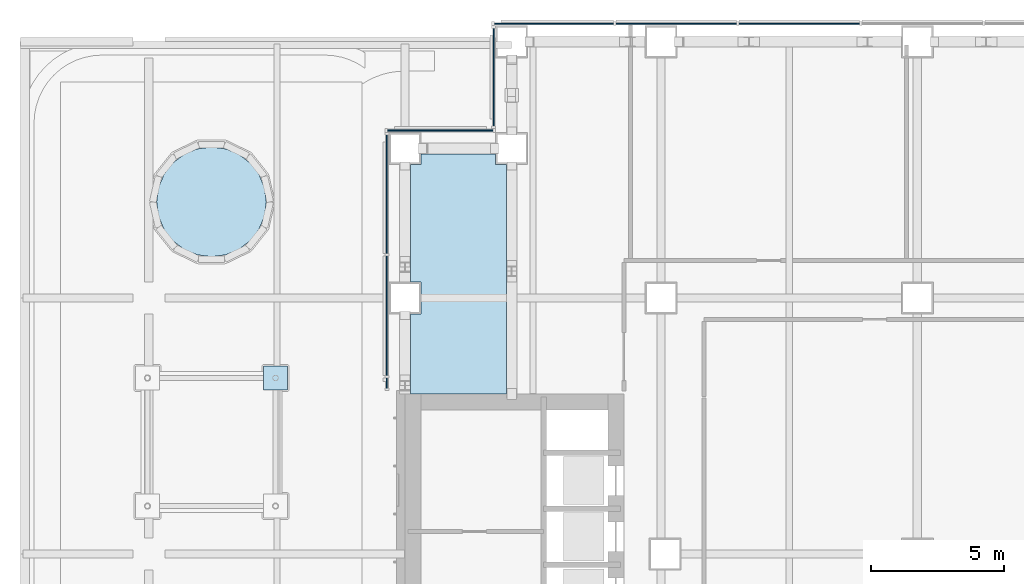
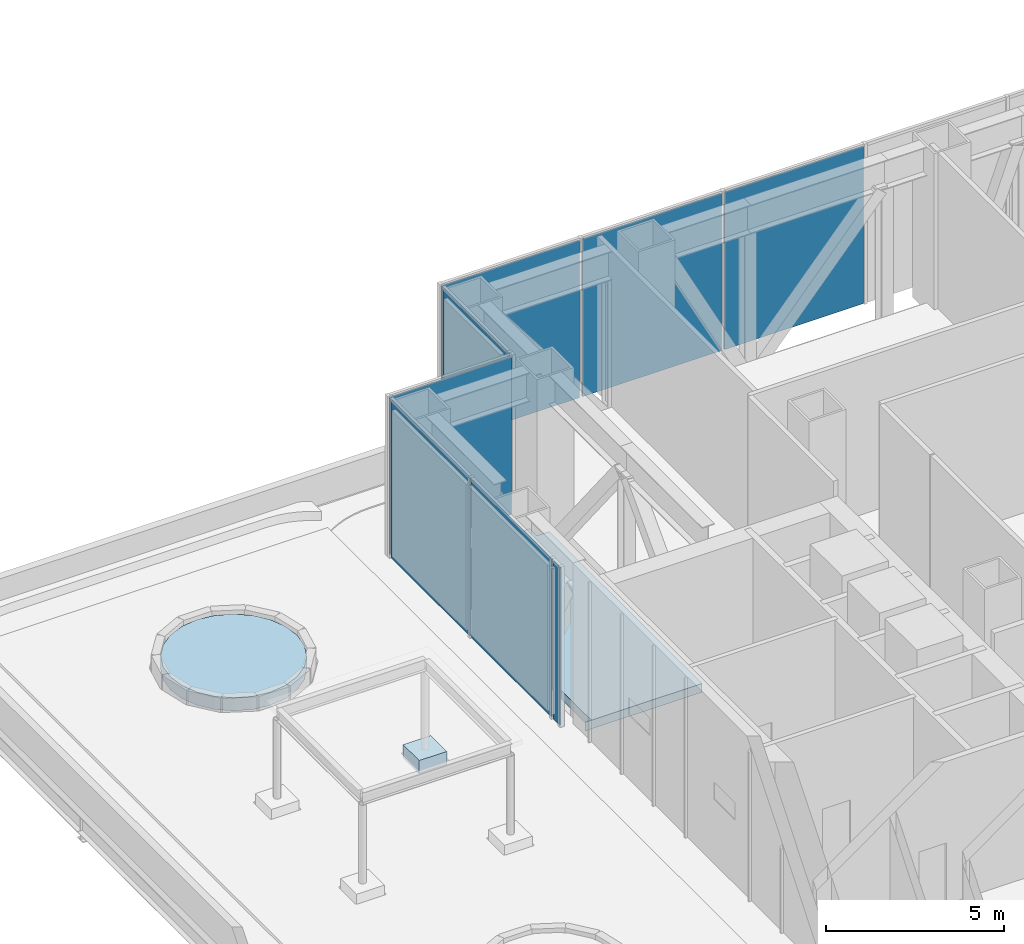
# One storey, part 21 of 39: 8 plates, 3 slabs, 4 elements without a shape of their own.
"""IFC4 building model written with IfcOpenShell, lengths in metres."""

from ifc_helpers import new_model, si_unit, direction, frame, origin, origin_2d, place, context, subcontext, project, spatial, polyline, rectangle, outline, extrude, material, layer, layer_set, type_object, element, aggregate, save


model = new_model("IFC4")

# Units and contexts
model_context = context("Model", 3, precision=1e-05, world=origin(), true_north=direction((0.0, 1.0)))
body_context = subcontext(model_context, "Body", "Model", "MODEL_VIEW")
ifc_project = project(units=[si_unit("LENGTHUNIT", "METRE"), si_unit("AREAUNIT", "SQUARE_METRE"), si_unit("VOLUMEUNIT", "CUBIC_METRE"), si_unit("PLANEANGLEUNIT", "RADIAN"), si_unit("MASSUNIT", "GRAM", prefix="KILO")], contexts=[model_context])

# Site, building, storey
site_placement = place(None, origin())
site = spatial("IfcSite", under=ifc_project, at=site_placement, CompositionType="ELEMENT")
building_placement = place(site_placement, origin())
building = spatial("IfcBuilding", under=site, at=building_placement, Name="Cobrizo Arcos Hotel Tower", CompositionType="ELEMENT")
storey_placement = place(building_placement, frame((0.0, 0.0, 33.5)))
storey = spatial("IfcBuildingStorey", under=building, at=storey_placement, Name="L06", CompositionType="ELEMENT", Elevation=33.5)

# Curtain wall, plates
ifc_material_1 = material(Name="Aluminium 6063-T6 anodised bronze", Category="aluminium")
curtain_wall_type = type_object("IfcCurtainWallType", Name="CW-D plant louvre wall", PredefinedType="NOTDEFINED", material=ifc_material_1)
curtain_wall_1_placement = place(storey_placement, origin())
curtain_wall_1 = element("IfcCurtainWall", 1, at=curtain_wall_1_placement, inside=storey, type_object=curtain_wall_type, Name="CW-D L06 N face", PredefinedType="NOTDEFINED")
ifc_material_2 = material(Name="Aluminium composite panel pale metal", Category="aluminium")
ifc_layer_1 = layer(ifc_material_2, 0.06005859375)
ifc_layer_set_1 = layer_set([ifc_layer_1], Name="CW-D spandrel panel")
plate_type = type_object("IfcPlateType", Name="CW-D spandrel panel", PredefinedType="CURTAIN_PANEL", material=ifc_layer_set_1)
plate_1_placement = place(storey_placement, frame((-9.22216796875, 24.675048828125, 0.0), z_axis=(0.0, 0.0, 1.0), x_axis=(-1.0, 0.0, 0.0)))
plate_1 = element("IfcPlate", 2, at=plate_1_placement, type_object=plate_type, Name="CW-D insulated panel 348", PredefinedType="CURTAIN_PANEL", context=body_context, shape_type="SweptSolid", body=[
    extrude(rectangle(XDim=4.51123046875, YDim=0.0400390625, at=origin_2d()), origin(), (0.0, 0.0, 1.0), 5.39990234375),
])
plate_2_placement = place(storey_placement, frame((-13.833251953125, 24.675048828125, 0.0), z_axis=(0.0, 0.0, 1.0), x_axis=(-1.0, 0.0, 0.0)))
plate_2 = element("IfcPlate", 3, at=plate_2_placement, type_object=plate_type, Name="CW-D insulated panel 349", PredefinedType="CURTAIN_PANEL", context=body_context, shape_type="SweptSolid", body=[
    extrude(rectangle(XDim=4.51123046875, YDim=0.0400390625, at=origin_2d()), origin(), (0.0, 0.0, 1.0), 5.39990234375),
])
plate_3_placement = place(storey_placement, frame((-18.41943359375, 24.675048828125, 0.0), z_axis=(0.0, 0.0, 1.0), x_axis=(-1.0, 0.0, 0.0)))
plate_3 = element("IfcPlate", 4, at=plate_3_placement, type_object=plate_type, Name="CW-D insulated panel 350", PredefinedType="CURTAIN_PANEL", context=body_context, shape_type="SweptSolid", body=[
    extrude(rectangle(XDim=4.461181640625, YDim=0.0400390625, at=origin_2d()), origin(), (0.0, 0.0, 1.0), 5.39990234375),
])
aggregate(curtain_wall_1, [plate_1, plate_2, plate_3])

# Curtain wall, plate
curtain_wall_2_placement = place(storey_placement, origin())
curtain_wall_2 = element("IfcCurtainWall", 5, at=curtain_wall_2_placement, inside=storey, type_object=curtain_wall_type, Name="CW-D L06 W face", PredefinedType="NOTDEFINED")
plate_4_placement = place(storey_placement, frame((-20.675048828125, 22.675048828125, 0.0), z_axis=(0.0, 0.0, 1.0), x_axis=(0.0, -1.0, 0.0)))
plate_4 = element("IfcPlate", 6, at=plate_4_placement, type_object=plate_type, Name="CW-D insulated panel 351", PredefinedType="CURTAIN_PANEL", context=body_context, shape_type="SweptSolid", body=[
    extrude(rectangle(XDim=3.64990234375, YDim=0.0400390625, at=origin_2d()), origin(), (0.0, 0.0, 1.0), 5.39990234375),
])
aggregate(curtain_wall_2, [plate_4])

curtain_wall_3_placement = place(storey_placement, origin())
curtain_wall_3 = element("IfcCurtainWall", 7, at=curtain_wall_3_placement, inside=storey, type_object=curtain_wall_type, Name="CW-D L06 N face", PredefinedType="NOTDEFINED")
plate_5_placement = place(storey_placement, frame((-22.675048828125, 20.675048828125, 0.0), z_axis=(0.0, 0.0, 1.0), x_axis=(-1.0, 0.0, 0.0)))
plate_5 = element("IfcPlate", 8, at=plate_5_placement, type_object=plate_type, Name="CW-D insulated panel 352", PredefinedType="CURTAIN_PANEL", context=body_context, shape_type="SweptSolid", body=[
    extrude(rectangle(XDim=3.949951171875, YDim=0.0400390625, at=origin_2d()), origin(), (0.0, 0.0, 1.0), 5.39990234375),
])
aggregate(curtain_wall_3, [plate_5])

# Curtain wall, plates
curtain_wall_4_placement = place(storey_placement, origin())
curtain_wall_4 = element("IfcCurtainWall", 9, at=curtain_wall_4_placement, inside=storey, type_object=curtain_wall_type, Name="CW-D L06 W face", PredefinedType="NOTDEFINED")
plate_6_placement = place(storey_placement, frame((-24.675048828125, 18.2861328125, 0.0), z_axis=(0.0, 0.0, 1.0), x_axis=(0.0, -1.0, 0.0)))
plate_6 = element("IfcPlate", 10, at=plate_6_placement, type_object=plate_type, Name="CW-D insulated panel 353", PredefinedType="CURTAIN_PANEL", context=body_context, shape_type="SweptSolid", body=[
    extrude(rectangle(XDim=4.427734375, YDim=0.0400390625, at=origin_2d()), origin(), (0.0, 0.0, 1.0), 5.39990234375),
])
plate_7_placement = place(storey_placement, frame((-24.675048828125, 13.7333984375, 0.0), z_axis=(0.0, 0.0, 1.0), x_axis=(0.0, -1.0, 0.0)))
plate_7 = element("IfcPlate", 11, at=plate_7_placement, type_object=plate_type, Name="CW-D insulated panel 354", PredefinedType="CURTAIN_PANEL", context=body_context, shape_type="SweptSolid", body=[
    extrude(rectangle(XDim=4.477783203125, YDim=0.0400390625, at=origin_2d()), origin(), (0.0, 0.0, 1.0), 5.39990234375),
])
plate_8_placement = place(storey_placement, frame((-24.675048828125, 11.20947265625, 0.0), z_axis=(0.0, 0.0, 1.0), x_axis=(0.0, -1.0, 0.0)))
plate_8 = element("IfcPlate", 12, at=plate_8_placement, type_object=plate_type, Name="CW-D insulated panel 355", PredefinedType="CURTAIN_PANEL", context=body_context, shape_type="SweptSolid", body=[
    extrude(rectangle(XDim=0.3701171875, YDim=0.0400390625, at=origin_2d()), origin(), (0.0, 0.0, 1.0), 5.39990234375),
])
aggregate(curtain_wall_4, [plate_6, plate_7, plate_8])

# Slabs
ifc_material_3 = material(Name="Concrete f'c 35 MPa", Category="concrete")
ifc_layer_2 = layer(ifc_material_3, 0.300048828125)
ifc_layer_set_2 = layer_set([ifc_layer_2], Name="Composite floor slab 300 f'c 35")
slab_type_1 = type_object("IfcSlabType", Name="Composite floor slab 300 f'c 35", PredefinedType="FLOOR", material=ifc_layer_set_2)
slab_1_placement = place(storey_placement, frame((0.0, 0.0, -0.300048828125)))
element("IfcSlab", 13, at=slab_1_placement, inside=storey, type_object=slab_type_1, Name="Floor slab S2, L06, no. 03", PredefinedType="FLOOR", context=body_context, shape_type="SweptSolid", body=[
    extrude(outline(polyline([(-24.0, 10.801025390625), (-23.799560546875, 10.801025390625), (-23.799560546875, 13.800048828125), (-23.39990234375, 13.800048828125), (-23.39990234375, 15.0), (-23.799560546875, 15.0), (-23.799560546875, 19.39990234375), (-23.39990234375, 19.39990234375), (-23.39990234375, 19.799560546875), (-20.60009765625, 19.799560546875), (-20.60009765625, 19.39990234375), (-20.200439453125, 19.39990234375), (-20.200439453125, 10.800048828125), (-24.0, 10.800048828125), (-24.0, 10.801025390625)])), origin(), (0.0, 0.0, 1.0), 0.300048828125),
])
ifc_layer_3 = layer(ifc_material_3, 0.449951171875)
ifc_layer_set_3 = layer_set([ifc_layer_3], Name="Pavilion column plinth 900 x 900 x 450")
slab_type_2 = type_object("IfcSlabType", Name="Pavilion column plinth 900 x 900 x 450", PredefinedType="BASESLAB", material=ifc_layer_set_3)
slab_2_placement = place(storey_placement, origin())
element("IfcSlab", 14, at=slab_2_placement, inside=storey, type_object=slab_type_2, Name="Pavilion 2 column plinth 3", PredefinedType="BASESLAB", context=body_context, shape_type="SweptSolid", body=[
    extrude(outline(polyline([(-28.39990234375, 10.949951171875), (-28.39990234375, 11.85009765625), (-29.300048828125, 11.85009765625), (-29.300048828125, 10.949951171875), (-28.39990234375, 10.949951171875)])), origin(), (0.0, 0.0, 1.0), 0.449951171875),
])
ifc_material_4 = material(Name="Planting soil")
ifc_layer_4 = layer(ifc_material_4, 0.449951171875)
ifc_layer_set_4 = layer_set([ifc_layer_4], Name="Planting bed 450")
slab_type_3 = type_object("IfcSlabType", Name="Planting bed 450", PredefinedType="USERDEFINED", material=ifc_layer_set_4)
slab_3_placement = place(storey_placement, origin())
element("IfcSlab", 15, at=slab_3_placement, inside=storey, type_object=slab_type_3, Name="Planter 3 planting bed", ObjectType="PLANTER", PredefinedType="USERDEFINED", context=body_context, shape_type="SweptSolid", body=[
    extrude(outline(polyline([(-29.195068359375, 18.0), (-29.264892578125, 18.531982421875), (-29.47021484375, 19.027587890625), (-29.796875, 19.453125), (-30.222412109375, 19.77978515625), (-30.718017578125, 19.985107421875), (-31.25, 20.054931640625), (-31.781982421875, 19.985107421875), (-32.277587890625, 19.77978515625), (-32.703125, 19.453125), (-33.02978515625, 19.027587890625), (-33.235107421875, 18.531982421875), (-33.304931640625, 18.0), (-33.235107421875, 17.468017578125), (-33.02978515625, 16.972412109375), (-32.703125, 16.546875), (-32.277587890625, 16.22021484375), (-31.781982421875, 16.014892578125), (-31.25, 15.945068359375), (-30.718017578125, 16.014892578125), (-30.222412109375, 16.22021484375), (-29.796875, 16.546875), (-29.47021484375, 16.972412109375), (-29.264892578125, 17.468017578125), (-29.195068359375, 18.0)])), origin(), (0.0, 0.0, 1.0), 0.449951171875),
])

save(model, "model.ifc")
